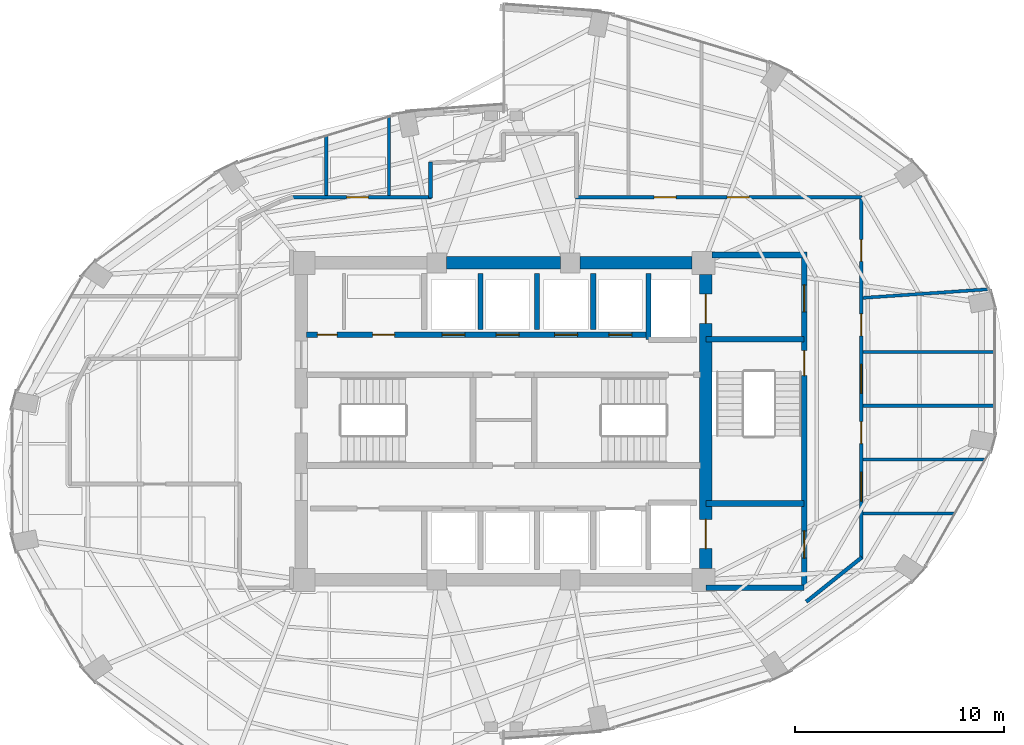
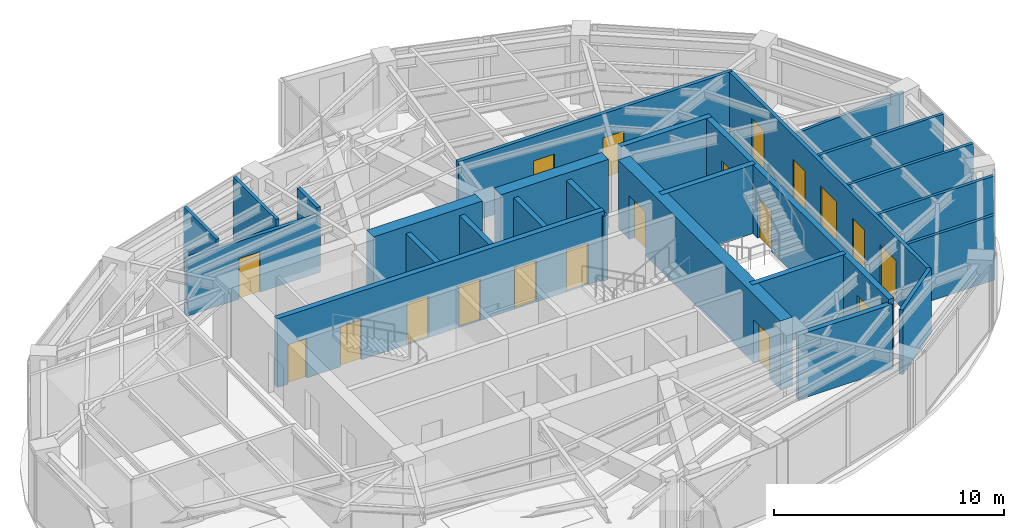
# One storey, part 17 of 20: 25 walls, 19 doors, 19 openings.
"""IFC4 building model written with IfcOpenShell, lengths in metres."""

from ifc_helpers import new_model, si_unit, direction, frame, frame_2d, origin, place, context, subcontext, project, spatial, rectangle, extrude, material, layer, layer_set, type_object, element, fill, save


model = new_model("IFC4")

# Units and contexts
model_context = context("Model", 3, precision=1e-05, world=origin(), true_north=direction((0.0, 1.0)))
body_context = subcontext(model_context, "Body", "Model", "MODEL_VIEW")
ifc_project = project(units=[si_unit("LENGTHUNIT", "METRE"), si_unit("AREAUNIT", "SQUARE_METRE"), si_unit("VOLUMEUNIT", "CUBIC_METRE"), si_unit("PLANEANGLEUNIT", "RADIAN"), si_unit("MASSUNIT", "GRAM", prefix="KILO")], contexts=[model_context])

# Site, building, storey
site_placement = place(None, origin())
site = spatial("IfcSite", under=ifc_project, at=site_placement, CompositionType="ELEMENT")
building_placement = place(site_placement, origin())
building = spatial("IfcBuilding", under=site, at=building_placement, Name="Lazwardi Medical Tower", CompositionType="ELEMENT")
storey_placement = place(building_placement, frame((0.0, 0.0, 156.528076171875)))
storey = spatial("IfcBuildingStorey", under=building, at=storey_placement, Name="L40", CompositionType="ELEMENT", Elevation=156.528076171875)

# Wall, opening, door
ifc_material_1 = material(Name="Fire-rated gypsum board on steel stud", Category="steel")
ifc_layer_1 = layer(ifc_material_1, 0.179931640625)
ifc_layer_set_1 = layer_set([ifc_layer_1], Name="Fire-rated gypsum board on steel stud")
wall_type_1 = type_object("IfcWallType", Name="WL-COR-180", PredefinedType="PARTITIONING", material=ifc_layer_set_1)
wall_1_placement = place(storey_placement, frame((25.842529296875, 38.75, 0.0), z_axis=(0.0, 0.0, 1.0), x_axis=(1.0, 0.0, 0.0)))
wall_1 = element("IfcWall", 1, at=wall_1_placement, inside=storey, type_object=wall_type_1, Name="L40 Corridor partition 6", PredefinedType="PARTITIONING", context=body_context, shape_type="SweptSolid", body=[
    extrude(rectangle(XDim=6.697509765625, YDim=0.179931640625, at=frame_2d((3.3486328125, 0.0))), origin(), (0.0, 0.0, 1.0), 3.052978515625),
])
opening_1_placement = place(wall_1_placement, frame((2.63232421875, 0.0, 0.0)))
opening_1 = element("IfcOpeningElement", 2, at=opening_1_placement, cuts=wall_1, Name="Opening D-L40-019", PredefinedType="OPENING", context=body_context, shape_type="SweptSolid", body=[
    extrude(rectangle(XDim=1.050048828125, YDim=2.14990234375, at=frame_2d((0.52490234375, 1.074951171875))), frame((0.0, 0.099853515625, 0.0), z_axis=(0.0, -1.0, 0.0), x_axis=(1.0, 0.0, 0.0)), (0.0, 0.0, 1.0), 0.199951171875),
])
ifc_material_2 = material(Name="Anti-microbial laminate hospital leaf")
door_type_1 = type_object("IfcDoorType", Name="DR-CLN-1050", OperationType="NOTDEFINED", PredefinedType="DOOR", material=ifc_material_2)
door_1_placement = place(opening_1_placement, origin())
door_1 = element("IfcDoor", 3, at=door_1_placement, inside=storey, type_object=door_type_1, Name="L40 Outpatient Consultation Suite Door 10", OperationType="SINGLE_SWING_LEFT", OverallHeight=2.14990234375, OverallWidth=1.050048828125, PredefinedType="DOOR", context=body_context, shape_type="SweptSolid", body=[
    extrude(rectangle(XDim=1.050048828125, YDim=2.14990234375, at=frame_2d((0.52490234375, 1.074951171875))), frame((0.0, 0.02490234375, 0.0), z_axis=(0.0, -1.0, 0.0), x_axis=(1.0, 0.0, 0.0)), (0.0, 0.0, 1.0), 0.050048828125),
])
fill(opening_1, door_1)

# Wall
wall_2_placement = place(storey_placement, frame((32.5, 38.7099609375, 0.0), z_axis=(0.0, 0.0, 1.0), x_axis=(0.0, 1.0, 0.0)))
element("IfcWall", 4, at=wall_2_placement, inside=storey, type_object=wall_type_1, Name="L40 Corridor partition 7", PredefinedType="PARTITIONING", context=body_context, shape_type="SweptSolid", body=[
    extrude(rectangle(XDim=1.729248046875, YDim=0.179931640625, at=frame_2d((0.86474609375, 0.0))), origin(), (0.0, 0.0, 1.0), 3.427978515625),
])

# Wall, openings, doors
wall_3_placement = place(storey_placement, frame((39.4599609375, 38.75, 0.0), z_axis=(0.0, 0.0, 1.0), x_axis=(1.0, 0.0, 0.0)))
wall_3 = element("IfcWall", 5, at=wall_3_placement, inside=storey, type_object=wall_type_1, Name="L40 Corridor partition 12", PredefinedType="PARTITIONING", context=body_context, shape_type="SweptSolid", body=[
    extrude(rectangle(XDim=13.72998046875, YDim=0.179931640625, at=frame_2d((6.864990234375, 0.0))), origin(), (0.0, 0.0, 1.0), 3.427978515625),
])
opening_2_placement = place(wall_3_placement, frame((7.262939453125, 0.0, 0.0)))
opening_2 = element("IfcOpeningElement", 6, at=opening_2_placement, cuts=wall_3, Name="Opening D-L40-016", PredefinedType="OPENING", context=body_context, shape_type="SweptSolid", body=[
    extrude(rectangle(XDim=1.050048828125, YDim=2.14990234375, at=frame_2d((0.52490234375, 1.074951171875))), frame((0.0, 0.099853515625, 0.0), z_axis=(0.0, -1.0, 0.0), x_axis=(1.0, 0.0, 0.0)), (0.0, 0.0, 1.0), 0.199951171875),
])
opening_3_placement = place(wall_3_placement, frame((3.764892578125, 0.0, 0.0)))
opening_3 = element("IfcOpeningElement", 7, at=opening_3_placement, cuts=wall_3, Name="Opening D-L40-017", PredefinedType="OPENING", context=body_context, shape_type="SweptSolid", body=[
    extrude(rectangle(XDim=1.050048828125, YDim=2.14990234375, at=frame_2d((0.52490234375, 1.074951171875))), frame((0.0, 0.099853515625, 0.0), z_axis=(0.0, -1.0, 0.0), x_axis=(1.0, 0.0, 0.0)), (0.0, 0.0, 1.0), 0.199951171875),
])
door_2_placement = place(opening_2_placement, origin())
door_2 = element("IfcDoor", 8, at=door_2_placement, inside=storey, type_object=door_type_1, Name="L40 Outpatient Consultation Suite Door 07", OperationType="SINGLE_SWING_RIGHT", OverallHeight=2.14990234375, OverallWidth=1.050048828125, PredefinedType="DOOR", context=body_context, shape_type="SweptSolid", body=[
    extrude(rectangle(XDim=1.050048828125, YDim=2.14990234375, at=frame_2d((0.52490234375, 1.074951171875))), frame((0.0, 0.02490234375, 0.0), z_axis=(0.0, -1.0, 0.0), x_axis=(1.0, 0.0, 0.0)), (0.0, 0.0, 1.0), 0.050048828125),
])
fill(opening_2, door_2)
door_3_placement = place(opening_3_placement, origin())
door_3 = element("IfcDoor", 9, at=door_3_placement, inside=storey, type_object=door_type_1, Name="L40 Outpatient Consultation Suite Door 08", OperationType="SINGLE_SWING_LEFT", OverallHeight=2.14990234375, OverallWidth=1.050048828125, PredefinedType="DOOR", context=body_context, shape_type="SweptSolid", body=[
    extrude(rectangle(XDim=1.050048828125, YDim=2.14990234375, at=frame_2d((0.52490234375, 1.074951171875))), frame((0.0, 0.02490234375, 0.0), z_axis=(0.0, -1.0, 0.0), x_axis=(1.0, 0.0, 0.0)), (0.0, 0.0, 1.0), 0.050048828125),
])
fill(opening_3, door_3)

wall_4_placement = place(storey_placement, frame((53.14990234375, 38.7900390625, 0.0), z_axis=(0.0, 0.0, 1.0), x_axis=(0.0, -1.0, 0.0)))
wall_4 = element("IfcWall", 10, at=wall_4_placement, inside=storey, type_object=wall_type_1, Name="L40 Corridor partition 13", PredefinedType="PARTITIONING", context=body_context, shape_type="SweptSolid", body=[
    extrude(rectangle(XDim=17.374267578125, YDim=0.179931640625, at=frame_2d((8.68701171875, 0.0))), origin(), (0.0, 0.0, 1.0), 3.427978515625),
])
opening_4_placement = place(wall_4_placement, frame((13.215087890625, 0.0, 0.0)))
opening_4 = element("IfcOpeningElement", 11, at=opening_4_placement, cuts=wall_4, Name="Opening D-L40-011", PredefinedType="OPENING", context=body_context, shape_type="SweptSolid", body=[
    extrude(rectangle(XDim=1.39990234375, YDim=2.199951171875, at=frame_2d((0.699951171875, 1.10009765625))), frame((0.0, 0.099853515625, 0.0), z_axis=(0.0, -1.0, 0.0), x_axis=(1.0, 0.0, 0.0)), (0.0, 0.0, 1.0), 0.199951171875),
])
opening_5_placement = place(wall_4_placement, frame((10.804931640625, 0.0, 0.0)))
opening_5 = element("IfcOpeningElement", 12, at=opening_5_placement, cuts=wall_4, Name="Opening D-L40-012", PredefinedType="OPENING", context=body_context, shape_type="SweptSolid", body=[
    extrude(rectangle(XDim=1.050048828125, YDim=2.14990234375, at=frame_2d((0.52490234375, 1.074951171875))), frame((0.0, 0.099853515625, 0.0), z_axis=(0.0, -1.0, 0.0), x_axis=(1.0, 0.0, 0.0)), (0.0, 0.0, 1.0), 0.199951171875),
])
opening_6_placement = place(wall_4_placement, frame((8.050048828125, 0.0, 0.0)))
opening_6 = element("IfcOpeningElement", 13, at=opening_6_placement, cuts=wall_4, Name="Opening D-L40-013", PredefinedType="OPENING", context=body_context, shape_type="SweptSolid", body=[
    extrude(rectangle(XDim=1.39990234375, YDim=2.199951171875, at=frame_2d((0.699951171875, 1.10009765625))), frame((0.0, 0.099853515625, 0.0), z_axis=(0.0, -1.0, 0.0), x_axis=(1.0, 0.0, 0.0)), (0.0, 0.0, 1.0), 0.199951171875),
])
opening_7_placement = place(wall_4_placement, frame((5.63720703125, 0.0, 0.0)))
opening_7 = element("IfcOpeningElement", 14, at=opening_7_placement, cuts=wall_4, Name="Opening D-L40-014", PredefinedType="OPENING", context=body_context, shape_type="SweptSolid", body=[
    extrude(rectangle(XDim=1.050048828125, YDim=2.14990234375, at=frame_2d((0.52490234375, 1.074951171875))), frame((0.0, 0.099853515625, 0.0), z_axis=(0.0, -1.0, 0.0), x_axis=(1.0, 0.0, 0.0)), (0.0, 0.0, 1.0), 0.199951171875),
])
opening_8_placement = place(wall_4_placement, frame((2.066162109375, 0.0, 0.0)))
opening_8 = element("IfcOpeningElement", 15, at=opening_8_placement, cuts=wall_4, Name="Opening D-L40-015", PredefinedType="OPENING", context=body_context, shape_type="SweptSolid", body=[
    extrude(rectangle(XDim=1.050048828125, YDim=2.14990234375, at=frame_2d((0.52490234375, 1.074951171875))), frame((0.0, 0.099853515625, 0.0), z_axis=(0.0, -1.0, 0.0), x_axis=(1.0, 0.0, 0.0)), (0.0, 0.0, 1.0), 0.199951171875),
])
door_type_2 = type_object("IfcDoorType", Name="DR-BED-1400", OperationType="NOTDEFINED", PredefinedType="DOOR", material=ifc_material_2)
door_4_placement = place(opening_4_placement, origin())
door_4 = element("IfcDoor", 16, at=door_4_placement, inside=storey, type_object=door_type_2, Name="L40 Rehabilitation Gymnasium Door 02", OperationType="SINGLE_SWING_LEFT", OverallHeight=2.199951171875, OverallWidth=1.39990234375, PredefinedType="DOOR", context=body_context, shape_type="SweptSolid", body=[
    extrude(rectangle(XDim=1.39990234375, YDim=2.199951171875, at=frame_2d((0.699951171875, 1.10009765625))), frame((0.0, 0.02490234375, 0.0), z_axis=(0.0, -1.0, 0.0), x_axis=(1.0, 0.0, 0.0)), (0.0, 0.0, 1.0), 0.050048828125),
])
fill(opening_4, door_4)
door_5_placement = place(opening_6_placement, origin())
door_5 = element("IfcDoor", 17, at=door_5_placement, inside=storey, type_object=door_type_2, Name="L40 Department Reception Foyer Door 04", OperationType="SINGLE_SWING_LEFT", OverallHeight=2.199951171875, OverallWidth=1.39990234375, PredefinedType="DOOR", context=body_context, shape_type="SweptSolid", body=[
    extrude(rectangle(XDim=1.39990234375, YDim=2.199951171875, at=frame_2d((0.699951171875, 1.10009765625))), frame((0.0, 0.02490234375, 0.0), z_axis=(0.0, -1.0, 0.0), x_axis=(1.0, 0.0, 0.0)), (0.0, 0.0, 1.0), 0.050048828125),
])
fill(opening_6, door_5)
door_6_placement = place(opening_5_placement, origin())
door_6 = element("IfcDoor", 18, at=door_6_placement, inside=storey, type_object=door_type_1, Name="L40 Outpatient Clinic Door 03", OperationType="SINGLE_SWING_RIGHT", OverallHeight=2.14990234375, OverallWidth=1.050048828125, PredefinedType="DOOR", context=body_context, shape_type="SweptSolid", body=[
    extrude(rectangle(XDim=1.050048828125, YDim=2.14990234375, at=frame_2d((0.52490234375, 1.074951171875))), frame((0.0, 0.02490234375, 0.0), z_axis=(0.0, -1.0, 0.0), x_axis=(1.0, 0.0, 0.0)), (0.0, 0.0, 1.0), 0.050048828125),
])
fill(opening_5, door_6)
door_7_placement = place(opening_7_placement, origin())
door_7 = element("IfcDoor", 19, at=door_7_placement, inside=storey, type_object=door_type_1, Name="L40 Outpatient Consultation Suite Door 05", OperationType="SINGLE_SWING_RIGHT", OverallHeight=2.14990234375, OverallWidth=1.050048828125, PredefinedType="DOOR", context=body_context, shape_type="SweptSolid", body=[
    extrude(rectangle(XDim=1.050048828125, YDim=2.14990234375, at=frame_2d((0.52490234375, 1.074951171875))), frame((0.0, 0.02490234375, 0.0), z_axis=(0.0, -1.0, 0.0), x_axis=(1.0, 0.0, 0.0)), (0.0, 0.0, 1.0), 0.050048828125),
])
fill(opening_7, door_7)
door_8_placement = place(opening_8_placement, origin())
door_8 = element("IfcDoor", 20, at=door_8_placement, inside=storey, type_object=door_type_1, Name="L40 Outpatient Consultation Suite Door 06", OperationType="SINGLE_SWING_LEFT", OverallHeight=2.14990234375, OverallWidth=1.050048828125, PredefinedType="DOOR", context=body_context, shape_type="SweptSolid", body=[
    extrude(rectangle(XDim=1.050048828125, YDim=2.14990234375, at=frame_2d((0.52490234375, 1.074951171875))), frame((0.0, 0.02490234375, 0.0), z_axis=(0.0, -1.0, 0.0), x_axis=(1.0, 0.0, 0.0)), (0.0, 0.0, 1.0), 0.050048828125),
])
fill(opening_8, door_8)

# Wall
wall_5_placement = place(storey_placement, frame((53.181396484375, 21.480712890625, 0.0), z_axis=(0.0, 0.0, 1.0), x_axis=(-0.781420737726, -0.624004511724, 0.0)))
element("IfcWall", 21, at=wall_5_placement, inside=storey, type_object=wall_type_1, Name="L40 Corridor partition 14", PredefinedType="PARTITIONING", context=body_context, shape_type="SweptSolid", body=[
    extrude(rectangle(XDim=3.407470703125, YDim=0.179931640625, at=frame_2d((1.70361328125, 0.0))), origin(), (0.0, 0.0, 1.0), 3.427978515625),
])

# Wall, openings, doors
ifc_material_3 = material(Name="Concrete C60/75", Category="concrete")
ifc_layer_2 = layer(ifc_material_3, 0.60009765625)
ifc_layer_set_2 = layer_set([ifc_layer_2], Name="Concrete C60/75")
wall_type_2 = type_object("IfcWallType", Name="WL-CORE-600", PredefinedType="SHEAR", material=ifc_layer_set_2)
wall_6_placement = place(storey_placement, frame((45.699951171875, 20.949951171875, 0.0), z_axis=(0.0, 0.0, 1.0), x_axis=(0.0, 1.0, 0.0)))
wall_6 = element("IfcWall", 22, at=wall_6_placement, inside=storey, type_object=wall_type_2, Name="Core wall CW-S3 east L40", PredefinedType="SHEAR", context=body_context, shape_type="SweptSolid", body=[
    extrude(rectangle(XDim=14.10009765625, YDim=0.60009765625, at=frame_2d((7.050048828125, 0.0))), origin(), (0.0, 0.0, 1.0), 3.64794921875),
])
opening_9_placement = place(wall_6_placement, frame((11.75, 0.0, 0.0)))
opening_9 = element("IfcOpeningElement", 23, at=opening_9_placement, cuts=wall_6, Name="Opening LD-L40-001", PredefinedType="OPENING", context=body_context, shape_type="SweptSolid", body=[
    extrude(rectangle(XDim=1.39990234375, YDim=2.300048828125, at=frame_2d((0.699951171875, 1.14990234375))), frame((0.0, 0.31005859375, 0.0), z_axis=(0.0, -1.0, 0.0), x_axis=(1.0, 0.0, 0.0)), (0.0, 0.0, 1.0), 0.6201171875),
])
opening_10_placement = place(wall_6_placement, frame((0.949951171875, 0.0, 0.0)))
opening_10 = element("IfcOpeningElement", 24, at=opening_10_placement, cuts=wall_6, Name="Opening LD-L40-002", PredefinedType="OPENING", context=body_context, shape_type="SweptSolid", body=[
    extrude(rectangle(XDim=1.39990234375, YDim=2.300048828125, at=frame_2d((0.699951171875, 1.14990234375))), frame((0.0, 0.31005859375, 0.0), z_axis=(0.0, -1.0, 0.0), x_axis=(1.0, 0.0, 0.0)), (0.0, 0.0, 1.0), 0.6201171875),
])
ifc_material_4 = material(Name="Brushed stainless steel bed-lift landing door", Category="steel")
door_type_3 = type_object("IfcDoorType", Name="DR-LFT-1400", OperationType="NOTDEFINED", PredefinedType="DOOR", material=ifc_material_4)
door_9_placement = place(opening_9_placement, origin())
door_9 = element("IfcDoor", 25, at=door_9_placement, inside=storey, type_object=door_type_3, Name="L40 Lift Landing Door FL-01", OperationType="SLIDING_TO_LEFT", OverallHeight=2.300048828125, OverallWidth=1.39990234375, PredefinedType="DOOR", context=body_context, shape_type="SweptSolid", body=[
    extrude(rectangle(XDim=1.39990234375, YDim=2.300048828125, at=frame_2d((0.699951171875, 1.14990234375))), frame((0.0, 0.02490234375, 0.0), z_axis=(0.0, -1.0, 0.0), x_axis=(1.0, 0.0, 0.0)), (0.0, 0.0, 1.0), 0.050048828125),
])
fill(opening_9, door_9)
door_10_placement = place(opening_10_placement, origin())
door_10 = element("IfcDoor", 26, at=door_10_placement, inside=storey, type_object=door_type_3, Name="L40 Lift Landing Door FL-02", OperationType="SLIDING_TO_LEFT", OverallHeight=2.300048828125, OverallWidth=1.39990234375, PredefinedType="DOOR", context=body_context, shape_type="SweptSolid", body=[
    extrude(rectangle(XDim=1.39990234375, YDim=2.300048828125, at=frame_2d((0.699951171875, 1.14990234375))), frame((0.0, 0.02490234375, 0.0), z_axis=(0.0, -1.0, 0.0), x_axis=(1.0, 0.0, 0.0)), (0.0, 0.0, 1.0), 0.050048828125),
])
fill(opening_10, door_10)

# Walls
wall_7_placement = place(storey_placement, frame((33.27490234375, 35.60009765625, 0.0), z_axis=(0.0, 0.0, 1.0), x_axis=(1.0, 0.0, 0.0)))
element("IfcWall", 27, at=wall_7_placement, inside=storey, type_object=wall_type_2, Name="Core wall CW-S3 N2 L40", PredefinedType="SHEAR", context=body_context, shape_type="SweptSolid", body=[
    extrude(rectangle(XDim=5.4501953125, YDim=0.60009765625, at=frame_2d((2.72509765625, 0.0))), origin(), (0.0, 0.0, 1.0), 3.64794921875),
])
wall_8_placement = place(storey_placement, frame((39.675048828125, 35.60009765625, 0.0), z_axis=(0.0, 0.0, 1.0), x_axis=(1.0, 0.0, 0.0)))
element("IfcWall", 28, at=wall_8_placement, inside=storey, type_object=wall_type_2, Name="Core wall CW-S3 N3 L40", PredefinedType="SHEAR", context=body_context, shape_type="SweptSolid", body=[
    extrude(rectangle(XDim=5.375, YDim=0.60009765625, at=frame_2d((2.6875, 0.0))), origin(), (0.0, 0.0, 1.0), 3.64794921875),
])
ifc_material_5 = material(Name="Autoclaved aerated concrete blockwork", Category="masonry")
ifc_layer_3 = layer(ifc_material_5, 0.25)
ifc_layer_set_3 = layer_set([ifc_layer_3], Name="Autoclaved aerated concrete blockwork")
wall_type_3 = type_object("IfcWallType", Name="WL-SHAFT-250", PredefinedType="SOLIDWALL", material=ifc_layer_set_3)
wall_9_placement = place(storey_placement, frame((42.949951171875, 31.919921875, 0.0), z_axis=(0.0, 0.0, 1.0), x_axis=(0.0, 1.0, 0.0)))
element("IfcWall", 29, at=wall_9_placement, inside=storey, type_object=wall_type_3, Name="L40 FL-01 West shaft wall", PredefinedType="SOLIDWALL", context=body_context, shape_type="SweptSolid", body=[
    extrude(rectangle(XDim=3.18017578125, YDim=0.25, at=frame_2d((1.590087890625, 0.0))), origin(), (0.0, 0.0, 1.0), 3.427978515625),
])
for number, where, z_axis, x_axis, name in (
    (30, (34.89990234375, 32.419921875, 0.0), (0.0, 0.0, 1.0), (0.0, 1.0, 0.0), "L40 North hoistway divider"),
    (31, (37.60009765625, 32.419921875, 0.0), (0.0, 0.0, 1.0), (0.0, 1.0, 0.0), "L40 North hoistway divider"),
    (32, (40.300048828125, 32.419921875, 0.0), (0.0, 0.0, 1.0), (0.0, 1.0, 0.0), "L40 North hoistway divider"),
):
    element("IfcWall", number, at=place(storey_placement, frame(where, z_axis=z_axis, x_axis=x_axis)), inside=storey, type_object=wall_type_3, Name=name, PredefinedType="SOLIDWALL", context=body_context, shape_type="SweptSolid", body=[
        extrude(rectangle(XDim=2.68017578125, YDim=0.25, at=frame_2d((1.340087890625, 0.0))), origin(), (0.0, 0.0, 1.0), 3.427978515625),
    ])
wall_10_placement = place(storey_placement, frame((45.699951171875, 20.02001953125, 0.0), z_axis=(0.0, 0.0, 1.0), x_axis=(1.0, 0.0, 0.0)))
element("IfcWall", 33, at=wall_10_placement, inside=storey, type_object=wall_type_3, Name="L40 FFL-S South wall", PredefinedType="SOLIDWALL", context=body_context, shape_type="SweptSolid", body=[
    extrude(rectangle(XDim=4.715087890625, YDim=0.25, at=frame_2d((2.357421875, 0.0))), origin(), (0.0, 0.0, 1.0), 3.427978515625),
])

# Wall, openings, doors
ifc_material_6 = material(Name="Concrete C50/60", Category="concrete")
ifc_layer_4 = layer(ifc_material_6, 0.27001953125)
ifc_layer_set_4 = layer_set([ifc_layer_4], Name="Concrete C50/60")
wall_type_4 = type_object("IfcWallType", Name="WL-STR-250", PredefinedType="SHEAR", material=ifc_layer_set_4)
wall_11_placement = place(storey_placement, frame((26.550048828125, 32.14990234375, 0.0), z_axis=(0.0, 0.0, 1.0), x_axis=(1.0, 0.0, 0.0)))
wall_11 = element("IfcWall", 34, at=wall_11_placement, inside=storey, type_object=wall_type_4, Name="L40 North lift bank shear wall SW-S1", PredefinedType="SHEAR", context=body_context, shape_type="SweptSolid", body=[
    extrude(rectangle(XDim=16.39990234375, YDim=0.27001953125, at=frame_2d((8.199951171875, 0.0))), origin(), (0.0, 0.0, 1.0), 3.64794921875),
])
opening_11_placement = place(wall_11_placement, frame((0.52490234375, 0.0, 0.0)))
opening_11 = element("IfcOpeningElement", 35, at=opening_11_placement, cuts=wall_11, Name="Opening D-L40-003", PredefinedType="OPENING", context=body_context, shape_type="SweptSolid", body=[
    extrude(rectangle(XDim=0.949951171875, YDim=2.10009765625, at=frame_2d((0.47509765625, 1.050048828125))), frame((0.0, 0.14501953125, 0.0), z_axis=(0.0, -1.0, 0.0), x_axis=(1.0, 0.0, 0.0)), (0.0, 0.0, 1.0), 0.2900390625),
])
opening_12_placement = place(wall_11_placement, frame((3.175048828125, 0.0, 0.0)))
opening_12 = element("IfcOpeningElement", 36, at=opening_12_placement, cuts=wall_11, Name="Opening D-L40-004", PredefinedType="OPENING", context=body_context, shape_type="SweptSolid", body=[
    extrude(rectangle(XDim=1.050048828125, YDim=2.14990234375, at=frame_2d((0.52490234375, 1.074951171875))), frame((0.0, 0.14501953125, 0.0), z_axis=(0.0, -1.0, 0.0), x_axis=(1.0, 0.0, 0.0)), (0.0, 0.0, 1.0), 0.2900390625),
])
opening_13_placement = place(wall_11_placement, frame((6.5, 0.0, 0.0)))
opening_13 = element("IfcOpeningElement", 37, at=opening_13_placement, cuts=wall_11, Name="Opening LD-L40-004", PredefinedType="OPENING", context=body_context, shape_type="SweptSolid", body=[
    extrude(rectangle(XDim=1.10009765625, YDim=2.199951171875, at=frame_2d((0.550048828125, 1.10009765625))), frame((0.0, 0.14501953125, 0.0), z_axis=(0.0, -1.0, 0.0), x_axis=(1.0, 0.0, 0.0)), (0.0, 0.0, 1.0), 0.2900390625),
])
opening_14_placement = place(wall_11_placement, frame((9.10009765625, 0.0, 0.0)))
opening_14 = element("IfcOpeningElement", 38, at=opening_14_placement, cuts=wall_11, Name="Opening LD-L40-005", PredefinedType="OPENING", context=body_context, shape_type="SweptSolid", body=[
    extrude(rectangle(XDim=1.10009765625, YDim=2.199951171875, at=frame_2d((0.550048828125, 1.10009765625))), frame((0.0, 0.14501953125, 0.0), z_axis=(0.0, -1.0, 0.0), x_axis=(1.0, 0.0, 0.0)), (0.0, 0.0, 1.0), 0.2900390625),
])
opening_15_placement = place(wall_11_placement, frame((11.89990234375, 0.0, 0.0)))
opening_15 = element("IfcOpeningElement", 39, at=opening_15_placement, cuts=wall_11, Name="Opening LD-L40-008", PredefinedType="OPENING", context=body_context, shape_type="SweptSolid", body=[
    extrude(rectangle(XDim=1.10009765625, YDim=2.199951171875, at=frame_2d((0.550048828125, 1.10009765625))), frame((0.0, 0.14501953125, 0.0), z_axis=(0.0, -1.0, 0.0), x_axis=(1.0, 0.0, 0.0)), (0.0, 0.0, 1.0), 0.2900390625),
])
opening_16_placement = place(wall_11_placement, frame((14.5, 0.0, 0.0)))
opening_16 = element("IfcOpeningElement", 40, at=opening_16_placement, cuts=wall_11, Name="Opening LD-L40-009", PredefinedType="OPENING", context=body_context, shape_type="SweptSolid", body=[
    extrude(rectangle(XDim=1.10009765625, YDim=2.199951171875, at=frame_2d((0.550048828125, 1.10009765625))), frame((0.0, 0.14501953125, 0.0), z_axis=(0.0, -1.0, 0.0), x_axis=(1.0, 0.0, 0.0)), (0.0, 0.0, 1.0), 0.2900390625),
])
door_11_placement = place(opening_12_placement, origin())
door_11 = element("IfcDoor", 41, at=door_11_placement, inside=storey, type_object=door_type_1, Name="L40 Telemedicine Door", OperationType="SINGLE_SWING_LEFT", OverallHeight=2.14990234375, OverallWidth=1.050048828125, PredefinedType="DOOR", context=body_context, shape_type="SweptSolid", body=[
    extrude(rectangle(XDim=1.050048828125, YDim=2.14990234375, at=frame_2d((0.52490234375, 1.074951171875))), frame((0.0, 0.02490234375, 0.0), z_axis=(0.0, -1.0, 0.0), x_axis=(1.0, 0.0, 0.0)), (0.0, 0.0, 1.0), 0.050048828125),
])
fill(opening_12, door_11)
ifc_material_7 = material(Name="Moisture-resistant laminate door leaf")
door_type_4 = type_object("IfcDoorType", Name="DR-ENS-950", OperationType="NOTDEFINED", PredefinedType="DOOR", material=ifc_material_7)
door_12_placement = place(opening_11_placement, origin())
door_12 = element("IfcDoor", 42, at=door_12_placement, inside=storey, type_object=door_type_4, Name="L40 Core Staff WC Door", OperationType="SINGLE_SWING_RIGHT", OverallHeight=2.10009765625, OverallWidth=0.949951171875, PredefinedType="DOOR", context=body_context, shape_type="SweptSolid", body=[
    extrude(rectangle(XDim=0.949951171875, YDim=2.10009765625, at=frame_2d((0.47509765625, 1.050048828125))), frame((0.0, 0.02490234375, 0.0), z_axis=(0.0, -1.0, 0.0), x_axis=(1.0, 0.0, 0.0)), (0.0, 0.0, 1.0), 0.050048828125),
])
fill(opening_11, door_12)
ifc_material_8 = material(Name="Brushed bronze stainless steel landing door", Category="steel")
door_type_5 = type_object("IfcDoorType", Name="DR-LFT-1100", OperationType="NOTDEFINED", PredefinedType="DOOR", material=ifc_material_8)
door_13_placement = place(opening_13_placement, origin())
door_13 = element("IfcDoor", 43, at=door_13_placement, inside=storey, type_object=door_type_5, Name="L40 Lift Landing Door PL-05", OperationType="SLIDING_TO_LEFT", OverallHeight=2.199951171875, OverallWidth=1.10009765625, PredefinedType="DOOR", context=body_context, shape_type="SweptSolid", body=[
    extrude(rectangle(XDim=1.10009765625, YDim=2.199951171875, at=frame_2d((0.550048828125, 1.10009765625))), frame((0.0, 0.02490234375, 0.0), z_axis=(0.0, -1.0, 0.0), x_axis=(1.0, 0.0, 0.0)), (0.0, 0.0, 1.0), 0.050048828125),
])
fill(opening_13, door_13)
door_14_placement = place(opening_14_placement, origin())
door_14 = element("IfcDoor", 44, at=door_14_placement, inside=storey, type_object=door_type_5, Name="L40 Lift Landing Door PL-06", OperationType="SLIDING_TO_LEFT", OverallHeight=2.199951171875, OverallWidth=1.10009765625, PredefinedType="DOOR", context=body_context, shape_type="SweptSolid", body=[
    extrude(rectangle(XDim=1.10009765625, YDim=2.199951171875, at=frame_2d((0.550048828125, 1.10009765625))), frame((0.0, 0.02490234375, 0.0), z_axis=(0.0, -1.0, 0.0), x_axis=(1.0, 0.0, 0.0)), (0.0, 0.0, 1.0), 0.050048828125),
])
fill(opening_14, door_14)
door_15_placement = place(opening_15_placement, origin())
door_15 = element("IfcDoor", 45, at=door_15_placement, inside=storey, type_object=door_type_5, Name="L40 Lift Landing Door PL-09", OperationType="SLIDING_TO_LEFT", OverallHeight=2.199951171875, OverallWidth=1.10009765625, PredefinedType="DOOR", context=body_context, shape_type="SweptSolid", body=[
    extrude(rectangle(XDim=1.10009765625, YDim=2.199951171875, at=frame_2d((0.550048828125, 1.10009765625))), frame((0.0, 0.02490234375, 0.0), z_axis=(0.0, -1.0, 0.0), x_axis=(1.0, 0.0, 0.0)), (0.0, 0.0, 1.0), 0.050048828125),
])
fill(opening_15, door_15)
door_16_placement = place(opening_16_placement, origin())
door_16 = element("IfcDoor", 46, at=door_16_placement, inside=storey, type_object=door_type_5, Name="L40 Lift Landing Door PL-10", OperationType="SLIDING_TO_LEFT", OverallHeight=2.199951171875, OverallWidth=1.10009765625, PredefinedType="DOOR", context=body_context, shape_type="SweptSolid", body=[
    extrude(rectangle(XDim=1.10009765625, YDim=2.199951171875, at=frame_2d((0.550048828125, 1.10009765625))), frame((0.0, 0.02490234375, 0.0), z_axis=(0.0, -1.0, 0.0), x_axis=(1.0, 0.0, 0.0)), (0.0, 0.0, 1.0), 0.050048828125),
])
fill(opening_16, door_16)

wall_12_placement = place(storey_placement, frame((50.4150390625, 35.844970703125, 0.0), z_axis=(0.0, 0.0, 1.0), x_axis=(0.0, -1.0, 0.0)))
wall_12 = element("IfcWall", 47, at=wall_12_placement, inside=storey, type_object=wall_type_4, Name="L40 East ST3 & FFL shear wall SW-S1", PredefinedType="SHEAR", context=body_context, shape_type="SweptSolid", body=[
    extrude(rectangle(XDim=15.824951171875, YDim=0.27001953125, at=frame_2d((7.91259765625, 0.0))), origin(), (0.0, 0.0, 1.0), 3.64794921875),
])
opening_17_placement = place(wall_12_placement, frame((4.445068359375, 0.0, 0.0)))
opening_17 = element("IfcOpeningElement", 48, at=opening_17_placement, cuts=wall_12, Name="Opening D-L40-023", PredefinedType="OPENING", context=body_context, shape_type="SweptSolid", body=[
    extrude(rectangle(XDim=1.199951171875, YDim=2.14990234375, at=frame_2d((0.60009765625, 1.074951171875))), frame((0.0, 0.14501953125, 0.0), z_axis=(0.0, -1.0, 0.0), x_axis=(1.0, 0.0, 0.0)), (0.0, 0.0, 1.0), 0.2900390625),
])
opening_18_placement = place(wall_12_placement, frame((1.294921875, 0.0, 0.0)))
opening_18 = element("IfcOpeningElement", 49, at=opening_18_placement, cuts=wall_12, Name="Opening D-L40-006", PredefinedType="OPENING", context=body_context, shape_type="SweptSolid", body=[
    extrude(rectangle(XDim=1.300048828125, YDim=2.199951171875, at=frame_2d((0.64990234375, 1.10009765625))), frame((0.0, 0.14501953125, 0.0), z_axis=(0.0, -1.0, 0.0), x_axis=(1.0, 0.0, 0.0)), (0.0, 0.0, 1.0), 0.2900390625),
])
opening_19_placement = place(wall_12_placement, frame((13.094970703125, 0.0, 0.0)))
opening_19 = element("IfcOpeningElement", 50, at=opening_19_placement, cuts=wall_12, Name="Opening D-L40-007", PredefinedType="OPENING", context=body_context, shape_type="SweptSolid", body=[
    extrude(rectangle(XDim=1.300048828125, YDim=2.199951171875, at=frame_2d((0.64990234375, 1.10009765625))), frame((0.0, 0.14501953125, 0.0), z_axis=(0.0, -1.0, 0.0), x_axis=(1.0, 0.0, 0.0)), (0.0, 0.0, 1.0), 0.2900390625),
])
ifc_material_9 = material(Name="Fire-rated steel leaf and frame", Category="steel")
door_type_6 = type_object("IfcDoorType", Name="DR-FFL-1300", OperationType="NOTDEFINED", PredefinedType="DOOR", material=ifc_material_9)
door_17_placement = place(opening_18_placement, origin())
door_17 = element("IfcDoor", 51, at=door_17_placement, inside=storey, type_object=door_type_6, Name="L40 Fire-Fighting Lobby North Door", OperationType="SINGLE_SWING_RIGHT", OverallHeight=2.199951171875, OverallWidth=1.300048828125, PredefinedType="DOOR", context=body_context, shape_type="SweptSolid", body=[
    extrude(rectangle(XDim=1.300048828125, YDim=2.199951171875, at=frame_2d((0.64990234375, 1.10009765625))), frame((0.0, 0.02490234375, 0.0), z_axis=(0.0, -1.0, 0.0), x_axis=(1.0, 0.0, 0.0)), (0.0, 0.0, 1.0), 0.050048828125),
])
fill(opening_18, door_17)
door_18_placement = place(opening_19_placement, origin())
door_18 = element("IfcDoor", 52, at=door_18_placement, inside=storey, type_object=door_type_6, Name="L40 Fire-Fighting Lobby South Door", OperationType="SINGLE_SWING_LEFT", OverallHeight=2.199951171875, OverallWidth=1.300048828125, PredefinedType="DOOR", context=body_context, shape_type="SweptSolid", body=[
    extrude(rectangle(XDim=1.300048828125, YDim=2.199951171875, at=frame_2d((0.64990234375, 1.10009765625))), frame((0.0, 0.02490234375, 0.0), z_axis=(0.0, -1.0, 0.0), x_axis=(1.0, 0.0, 0.0)), (0.0, 0.0, 1.0), 0.050048828125),
])
fill(opening_19, door_18)
door_type_7 = type_object("IfcDoorType", Name="DR-STR-1200", OperationType="NOTDEFINED", PredefinedType="DOOR", material=ifc_material_9)
door_19_placement = place(opening_17_placement, origin())
door_19 = element("IfcDoor", 53, at=door_19_placement, inside=storey, type_object=door_type_7, Name="L40 Exit Stair ST3 Door", OperationType="SINGLE_SWING_LEFT", OverallHeight=2.14990234375, OverallWidth=1.199951171875, PredefinedType="DOOR", context=body_context, shape_type="SweptSolid", body=[
    extrude(rectangle(XDim=1.199951171875, YDim=2.14990234375, at=frame_2d((0.60009765625, 1.074951171875))), frame((0.0, 0.02490234375, 0.0), z_axis=(0.0, -1.0, 0.0), x_axis=(1.0, 0.0, 0.0)), (0.0, 0.0, 1.0), 0.050048828125),
])
fill(opening_17, door_19)

# Walls
wall_13_placement = place(storey_placement, frame((46.0, 35.97998046875, 0.0), z_axis=(0.0, 0.0, 1.0), x_axis=(1.0, 0.0, 0.0)))
element("IfcWall", 54, at=wall_13_placement, inside=storey, type_object=wall_type_4, Name="L40 FFL-N North shear wall SW-S1", PredefinedType="SHEAR", context=body_context, shape_type="SweptSolid", body=[
    extrude(rectangle(XDim=4.550048828125, YDim=0.27001953125, at=frame_2d((2.27490234375, 0.0))), origin(), (0.0, 0.0, 1.0), 3.64794921875),
])
for number, where, z_axis, x_axis, name in (
    (55, (45.699951171875, 31.93505859375, 0.0), (0.0, 0.0, 1.0), (1.0, 0.0, 0.0), "L40 ST3 North shear shaft wall SW-S1"),
    (56, (45.699951171875, 24.06494140625, 0.0), (0.0, 0.0, 1.0), (1.0, 0.0, 0.0), "L40 ST3 South shear shaft wall SW-S1"),
):
    element("IfcWall", number, at=place(storey_placement, frame(where, z_axis=z_axis, x_axis=x_axis)), inside=storey, type_object=wall_type_4, Name=name, PredefinedType="SHEAR", context=body_context, shape_type="SweptSolid", body=[
        extrude(rectangle(XDim=4.715087890625, YDim=0.27001953125, at=frame_2d((2.357421875, 0.0))), origin(), (0.0, 0.0, 1.0), 3.64794921875),
    ])
ifc_material_10 = material(Name="Acoustic gypsum board partition")
ifc_layer_5 = layer(ifc_material_10, 0.14990234375)
ifc_layer_set_5 = layer_set([ifc_layer_5], Name="Acoustic gypsum board partition")
wall_type_5 = type_object("IfcWallType", Name="WL-WRD-150", PredefinedType="PARTITIONING", material=ifc_layer_set_5)
wall_14_placement = place(storey_placement, frame((53.239990234375, 23.580078125, 0.0), z_axis=(0.0, 0.0, 1.0), x_axis=(1.0, 0.0, 0.0)))
element("IfcWall", 57, at=wall_14_placement, inside=storey, type_object=wall_type_5, Name="L40 Room partition 2", PredefinedType="PARTITIONING", context=body_context, shape_type="SweptSolid", body=[
    extrude(rectangle(XDim=4.392578125, YDim=0.14990234375, at=frame_2d((2.1962890625, 0.0))), origin(), (0.0, 0.0, 1.0), 3.427978515625),
])
wall_15_placement = place(storey_placement, frame((53.239990234375, 26.169921875, 0.0), z_axis=(0.0, 0.0, 1.0), x_axis=(1.0, 0.0, 0.0)))
element("IfcWall", 58, at=wall_15_placement, inside=storey, type_object=wall_type_5, Name="L40 Room partition 3", PredefinedType="PARTITIONING", context=body_context, shape_type="SweptSolid", body=[
    extrude(rectangle(XDim=5.857421875, YDim=0.14990234375, at=frame_2d((2.9287109375, 0.0))), origin(), (0.0, 0.0, 1.0), 3.427978515625),
])
for number, where, z_axis, x_axis, name in (
    (59, (53.239990234375, 28.75, 0.0), (0.0, 0.0, 1.0), (1.0, 0.0, 0.0), "L40 Room partition 4"),
    (60, (53.239990234375, 31.330078125, 0.0), (0.0, 0.0, 1.0), (1.0, 0.0, 0.0), "L40 Room partition 5"),
):
    element("IfcWall", number, at=place(storey_placement, frame(where, z_axis=z_axis, x_axis=x_axis)), inside=storey, type_object=wall_type_5, Name=name, PredefinedType="PARTITIONING", context=body_context, shape_type="SweptSolid", body=[
        extrude(rectangle(XDim=6.30712890625, YDim=0.14990234375, at=frame_2d((3.153564453125, 0.0))), origin(), (0.0, 0.0, 1.0), 3.427978515625),
    ])
wall_16_placement = place(storey_placement, frame((53.23974609375, 33.925048828125, 0.0), z_axis=(0.0, 0.0, 1.0), x_axis=(0.997659173086, 0.068382558873, 0.0)))
element("IfcWall", 61, at=wall_16_placement, inside=storey, type_object=wall_type_5, Name="L40 Room partition 6", PredefinedType="PARTITIONING", context=body_context, shape_type="SweptSolid", body=[
    extrude(rectangle(XDim=6.051513671875, YDim=0.14990234375, at=frame_2d((3.02587890625, 0.0))), origin(), (0.0, 0.0, 1.0), 2.863037109375),
])
wall_17_placement = place(storey_placement, frame((27.5, 38.840087890625, 0.0), z_axis=(0.0, 0.0, 1.0), x_axis=(0.0, 1.0, 0.0)))
element("IfcWall", 62, at=wall_17_placement, inside=storey, type_object=wall_type_5, Name="L40 Room partition 7", PredefinedType="PARTITIONING", context=body_context, shape_type="SweptSolid", body=[
    extrude(rectangle(XDim=2.83935546875, YDim=0.14990234375, at=frame_2d((1.419677734375, 0.0))), origin(), (0.0, 0.0, 1.0), 3.427978515625),
])
wall_18_placement = place(storey_placement, frame((30.5, 38.840087890625, 0.0), z_axis=(0.0, 0.0, 1.0), x_axis=(0.0, 1.0, 0.0)))
element("IfcWall", 63, at=wall_18_placement, inside=storey, type_object=wall_type_5, Name="L40 Room partition 8", PredefinedType="PARTITIONING", context=body_context, shape_type="SweptSolid", body=[
    extrude(rectangle(XDim=3.749267578125, YDim=0.14990234375, at=frame_2d((1.87451171875, 0.0))), origin(), (0.0, 0.0, 1.0), 3.427978515625),
])

save(model, "model.ifc")
